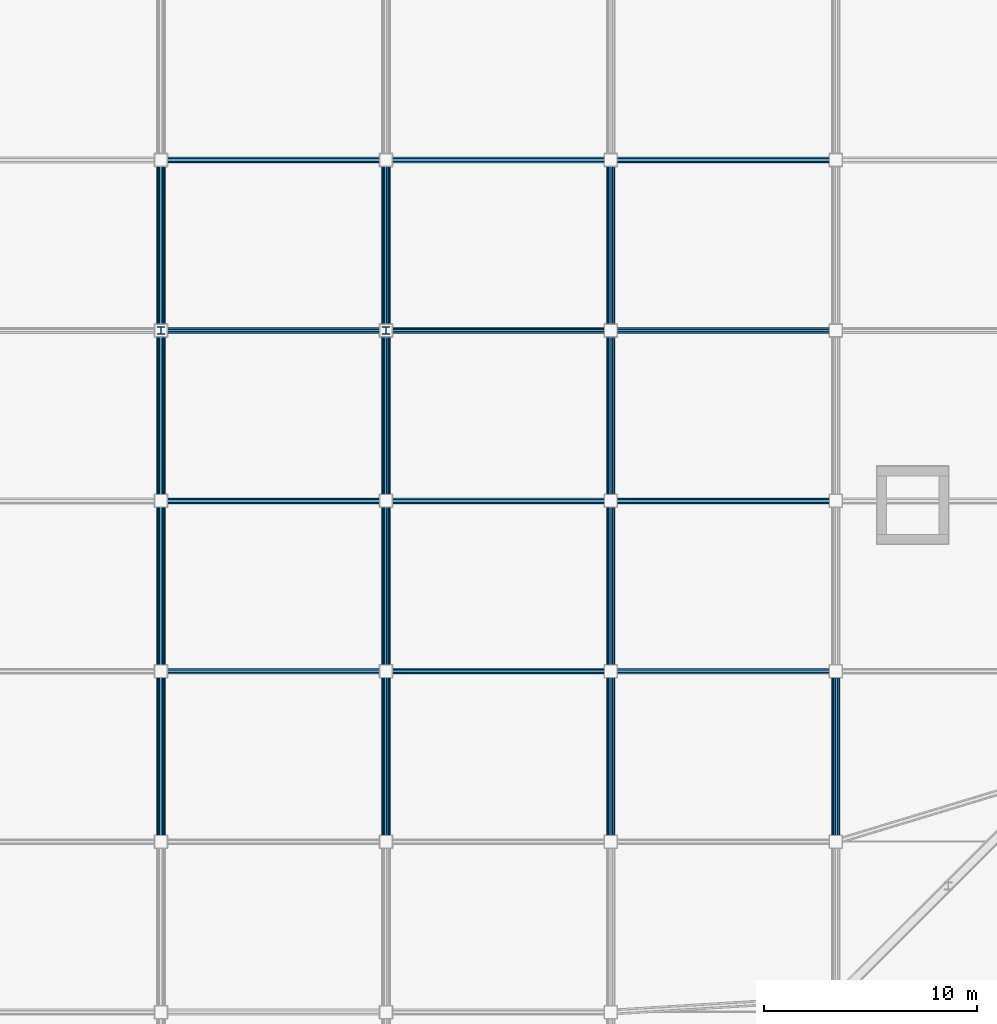
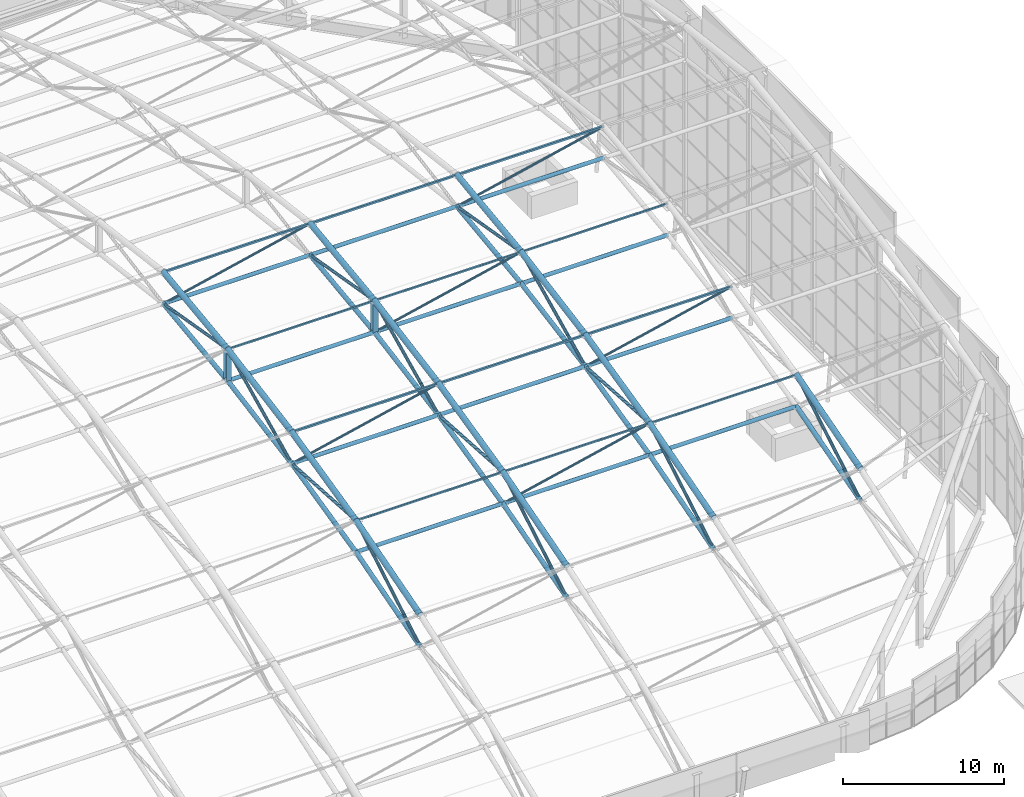
# One storey, part 12 of 42: 71 members.
"""IFC4 building model written with IfcOpenShell, lengths in metres."""

from ifc_helpers import new_model, si_unit, direction, frame, origin, origin_2d, place, context, subcontext, project, spatial, hollow_rectangle, hollow_circle, i_section, extrude, material, material_profile, profile_set, type_object, element, save


model = new_model("IFC4")

# Units and contexts
model_context = context("Model", 3, precision=1e-05, world=origin(), true_north=direction((0.0, 1.0)))
body_context = subcontext(model_context, "Body", "Model", "MODEL_VIEW")
ifc_project = project(units=[si_unit("LENGTHUNIT", "METRE"), si_unit("AREAUNIT", "SQUARE_METRE"), si_unit("VOLUMEUNIT", "CUBIC_METRE"), si_unit("PLANEANGLEUNIT", "RADIAN"), si_unit("MASSUNIT", "GRAM", prefix="KILO")], contexts=[model_context])

# Site, building, storey
site_placement = place(None, origin())
site = spatial("IfcSite", under=ifc_project, at=site_placement, CompositionType="ELEMENT")
building_placement = place(site_placement, origin())
building = spatial("IfcBuilding", under=site, at=building_placement, Name="Caelomonte Colonnade Arena", CompositionType="ELEMENT")
storey_placement = place(building_placement, frame((0.0, 0.0, 28.199951171875)))
storey = spatial("IfcBuildingStorey", under=building, at=storey_placement, Name="RF", CompositionType="ELEMENT", Elevation=28.199951171875)

# Members
ifc_material_1 = material(Name="Wide-flange steel ASTM A992 Grade 50", Category="steel")
ifc_material_profile_1 = material_profile(ifc_material_1, i_section(OverallWidth=0.368896484375, OverallDepth=0.356201171875, WebThickness=0.01123046875, FlangeThickness=0.01806640625, FilletRadius=0.01513671875, at=origin_2d()), Name="W14X90")
ifc_profile_set_1 = profile_set([ifc_material_profile_1], Name="Wide-flange steel ASTM A992 Grade 50")
member_type_1 = type_object("IfcMemberType", Name="STR-CAT-STR", PredefinedType="STRUT", material=ifc_profile_set_1)
for number, where, z_axis, x_axis, name in (
    (1, (120.9599609375, 59.199951171875, 11.68505859375), (0.0, 0.0, 1.0), (1.0, 0.0, 0.0), "Scoreboard rigging catwalk hanger post 6-5"),
    (2, (131.52001953125, 59.199951171875, 11.68505859375), (0.0, 0.0, 1.0), (1.0, 0.0, 0.0), "Scoreboard rigging catwalk hanger post 7-5"),
):
    element("IfcMember", number, at=place(storey_placement, frame(where, z_axis=z_axis, x_axis=x_axis)), inside=storey, type_object=member_type_1, Name=name, PredefinedType="STRUT", context=body_context, shape_type="SweptSolid", body=[
        extrude(i_section(OverallWidth=0.368896484375, OverallDepth=0.356201171875, WebThickness=0.01123046875, FlangeThickness=0.01806640625, FilletRadius=0.01513671875, at=origin_2d()), origin(), (0.0, 0.0, 1.0), 2.199951171875),
    ])
ifc_material_2 = material(Name="Steel ASTM A500 Grade C", Category="steel")
ifc_material_profile_2 = material_profile(ifc_material_2, hollow_circle(Radius=0.161865234375, WallThickness=0.010009765625, at=origin_2d()), Name="CHS323.9X10.0")
ifc_profile_set_2 = profile_set([ifc_material_profile_2], Name="Steel ASTM A500 Grade C")
member_type_2 = type_object("IfcMemberType", Name="STR-SF-BC2", PredefinedType="CHORD", material=ifc_profile_set_2)
member_1_placement = place(storey_placement, frame((120.9599609375, 35.201904296875, 5.936767578125), z_axis=(0.0, 0.960531688459, 0.278170586988), x_axis=(-1.0, 0.0, 0.0)))
element("IfcMember", 3, at=member_1_placement, inside=storey, type_object=member_type_2, Name="Arched roof truss bottom chord 6-2", PredefinedType="CHORD", context=body_context, shape_type="SweptSolid", body=[
    extrude(hollow_circle(Radius=0.161865234375, WallThickness=0.010009765625, at=origin_2d()), origin(), (0.0, 0.0, 1.0), 8.32470703125),
])
member_2_placement = place(storey_placement, frame((120.9599609375, 43.201904296875, 8.253662109375), z_axis=(0.0, 0.973406253466, 0.229085716955), x_axis=(-1.0, 0.0, 0.0)))
element("IfcMember", 4, at=member_2_placement, inside=storey, type_object=member_type_2, Name="Arched roof truss bottom chord 6-3", PredefinedType="CHORD", context=body_context, shape_type="SweptSolid", body=[
    extrude(hollow_circle(Radius=0.161865234375, WallThickness=0.010009765625, at=origin_2d()), origin(), (0.0, 0.0, 1.0), 8.214599609375),
])
member_3_placement = place(storey_placement, frame((120.9599609375, 51.201904296875, 10.136474609375), z_axis=(0.0, 0.983990820662, 0.178219148393), x_axis=(-1.0, 0.0, 0.0)))
element("IfcMember", 5, at=member_3_placement, inside=storey, type_object=member_type_2, Name="Arched roof truss bottom chord 6-4", PredefinedType="CHORD", context=body_context, shape_type="SweptSolid", body=[
    extrude(hollow_circle(Radius=0.161865234375, WallThickness=0.010009765625, at=origin_2d()), origin(), (0.0, 0.0, 1.0), 8.126220703125),
])
member_4_placement = place(storey_placement, frame((120.9599609375, 59.201904296875, 11.58544921875), z_axis=(0.0, 0.992048803131, 0.125853773113), x_axis=(-1.0, 0.0, 0.0)))
element("IfcMember", 6, at=member_4_placement, inside=storey, type_object=member_type_2, Name="Arched roof truss bottom chord 6-5", PredefinedType="CHORD", context=body_context, shape_type="SweptSolid", body=[
    extrude(hollow_circle(Radius=0.161865234375, WallThickness=0.010009765625, at=origin_2d()), origin(), (0.0, 0.0, 1.0), 8.060302734375),
])
member_5_placement = place(storey_placement, frame((131.52001953125, 35.201904296875, 5.936767578125), z_axis=(0.0, 0.960531688459, 0.278170586988), x_axis=(-1.0, 0.0, 0.0)))
element("IfcMember", 7, at=member_5_placement, inside=storey, type_object=member_type_2, Name="Arched roof truss bottom chord 7-2", PredefinedType="CHORD", context=body_context, shape_type="SweptSolid", body=[
    extrude(hollow_circle(Radius=0.161865234375, WallThickness=0.010009765625, at=origin_2d()), origin(), (0.0, 0.0, 1.0), 8.32470703125),
])
member_6_placement = place(storey_placement, frame((131.52001953125, 43.201904296875, 8.253662109375), z_axis=(0.0, 0.973406253466, 0.229085716955), x_axis=(-1.0, 0.0, 0.0)))
element("IfcMember", 8, at=member_6_placement, inside=storey, type_object=member_type_2, Name="Arched roof truss bottom chord 7-3", PredefinedType="CHORD", context=body_context, shape_type="SweptSolid", body=[
    extrude(hollow_circle(Radius=0.161865234375, WallThickness=0.010009765625, at=origin_2d()), origin(), (0.0, 0.0, 1.0), 8.214599609375),
])
member_7_placement = place(storey_placement, frame((131.52001953125, 51.201904296875, 10.136474609375), z_axis=(0.0, 0.983990820662, 0.178219148393), x_axis=(-1.0, 0.0, 0.0)))
element("IfcMember", 9, at=member_7_placement, inside=storey, type_object=member_type_2, Name="Arched roof truss bottom chord 7-4", PredefinedType="CHORD", context=body_context, shape_type="SweptSolid", body=[
    extrude(hollow_circle(Radius=0.161865234375, WallThickness=0.010009765625, at=origin_2d()), origin(), (0.0, 0.0, 1.0), 8.126220703125),
])
member_8_placement = place(storey_placement, frame((131.52001953125, 59.201904296875, 11.58544921875), z_axis=(0.0, 0.992048803131, 0.125853773113), x_axis=(-1.0, 0.0, 0.0)))
element("IfcMember", 10, at=member_8_placement, inside=storey, type_object=member_type_2, Name="Arched roof truss bottom chord 7-5", PredefinedType="CHORD", context=body_context, shape_type="SweptSolid", body=[
    extrude(hollow_circle(Radius=0.161865234375, WallThickness=0.010009765625, at=origin_2d()), origin(), (0.0, 0.0, 1.0), 8.060302734375),
])
member_9_placement = place(storey_placement, frame((142.080078125, 35.201904296875, 5.936767578125), z_axis=(0.0, 0.960531688459, 0.278170586988), x_axis=(-1.0, 0.0, 0.0)))
element("IfcMember", 11, at=member_9_placement, inside=storey, type_object=member_type_2, Name="Arched roof truss bottom chord 8-2", PredefinedType="CHORD", context=body_context, shape_type="SweptSolid", body=[
    extrude(hollow_circle(Radius=0.161865234375, WallThickness=0.010009765625, at=origin_2d()), origin(), (0.0, 0.0, 1.0), 8.32470703125),
])
member_10_placement = place(storey_placement, frame((142.080078125, 43.201904296875, 8.253662109375), z_axis=(0.0, 0.973406253466, 0.229085716955), x_axis=(-1.0, 0.0, 0.0)))
element("IfcMember", 12, at=member_10_placement, inside=storey, type_object=member_type_2, Name="Arched roof truss bottom chord 8-3", PredefinedType="CHORD", context=body_context, shape_type="SweptSolid", body=[
    extrude(hollow_circle(Radius=0.161865234375, WallThickness=0.010009765625, at=origin_2d()), origin(), (0.0, 0.0, 1.0), 8.214599609375),
])
member_11_placement = place(storey_placement, frame((142.080078125, 51.201904296875, 10.136474609375), z_axis=(0.0, 0.983990820662, 0.178219148393), x_axis=(-1.0, 0.0, 0.0)))
element("IfcMember", 13, at=member_11_placement, inside=storey, type_object=member_type_2, Name="Arched roof truss bottom chord 8-4", PredefinedType="CHORD", context=body_context, shape_type="SweptSolid", body=[
    extrude(hollow_circle(Radius=0.161865234375, WallThickness=0.010009765625, at=origin_2d()), origin(), (0.0, 0.0, 1.0), 8.126220703125),
])
member_12_placement = place(storey_placement, frame((142.080078125, 59.201904296875, 11.58544921875), z_axis=(0.0, 0.992048803131, 0.125853773113), x_axis=(-1.0, 0.0, 0.0)))
element("IfcMember", 14, at=member_12_placement, inside=storey, type_object=member_type_2, Name="Arched roof truss bottom chord 8-5", PredefinedType="CHORD", context=body_context, shape_type="SweptSolid", body=[
    extrude(hollow_circle(Radius=0.161865234375, WallThickness=0.010009765625, at=origin_2d()), origin(), (0.0, 0.0, 1.0), 8.060302734375),
])
member_13_placement = place(storey_placement, frame((152.639892578125, 35.201904296875, 5.936767578125), z_axis=(0.0, 0.960531688459, 0.278170586988), x_axis=(-1.0, 0.0, 0.0)))
element("IfcMember", 15, at=member_13_placement, inside=storey, type_object=member_type_2, Name="Arched roof truss bottom chord 9-2", PredefinedType="CHORD", context=body_context, shape_type="SweptSolid", body=[
    extrude(hollow_circle(Radius=0.161865234375, WallThickness=0.010009765625, at=origin_2d()), origin(), (0.0, 0.0, 1.0), 8.32470703125),
])
ifc_material_profile_3 = material_profile(ifc_material_2, hollow_rectangle(XDim=0.15234375, YDim=0.15234375, WallThickness=0.008056640625, InnerFilletRadius=0.008056640625, OuterFilletRadius=0.01611328125, at=origin_2d()), Name="HSS152X152X8.0")
ifc_profile_set_3 = profile_set([ifc_material_profile_3], Name="Steel ASTM A500 Grade C")
member_type_3 = type_object("IfcMemberType", Name="STR-SF-PUR2", PredefinedType="PURLIN", material=ifc_profile_set_3)
for number, where, z_axis, x_axis, name in (
    (16, (120.9619140625, 51.199951171875, 12.5361328125), (1.0, 0.0, 0.0), (0.0, 1.0, 0.0), "Arched roof purlin 6-4"),
    (17, (120.9619140625, 67.199951171875, 15.0), (1.0, 0.0, 0.0), (0.0, 1.0, 0.0), "Arched roof purlin 6-6"),
):
    element("IfcMember", number, at=place(storey_placement, frame(where, z_axis=z_axis, x_axis=x_axis)), inside=storey, type_object=member_type_3, Name=name, PredefinedType="PURLIN", context=body_context, shape_type="SweptSolid", body=[
        extrude(hollow_rectangle(XDim=0.15234375, YDim=0.15234375, WallThickness=0.008056640625, InnerFilletRadius=0.008056640625, OuterFilletRadius=0.01611328125, at=origin_2d()), origin(), (0.0, 0.0, 1.0), 10.55615234375),
    ])
for number, where, z_axis, x_axis, name in (
    (18, (131.52197265625, 51.199951171875, 12.5361328125), (1.0, 0.0, 0.0), (0.0, 1.0, 0.0), "Arched roof purlin 7-4"),
    (19, (131.52197265625, 67.199951171875, 15.0), (1.0, 0.0, 0.0), (0.0, 1.0, 0.0), "Arched roof purlin 7-6"),
    (20, (142.08203125, 51.199951171875, 12.5361328125), (1.0, 0.0, 0.0), (0.0, 1.0, 0.0), "Arched roof purlin 8-4"),
    (21, (142.08203125, 67.199951171875, 15.0), (1.0, 0.0, 0.0), (0.0, 1.0, 0.0), "Arched roof purlin 8-6"),
):
    element("IfcMember", number, at=place(storey_placement, frame(where, z_axis=z_axis, x_axis=x_axis)), inside=storey, type_object=member_type_3, Name=name, PredefinedType="PURLIN", context=body_context, shape_type="SweptSolid", body=[
        extrude(hollow_rectangle(XDim=0.15234375, YDim=0.15234375, WallThickness=0.008056640625, InnerFilletRadius=0.008056640625, OuterFilletRadius=0.01611328125, at=origin_2d()), origin(), (0.0, 0.0, 1.0), 10.555908203125),
    ])
ifc_material_profile_4 = material_profile(ifc_material_2, hollow_rectangle(XDim=0.126953125, YDim=0.126953125, WallThickness=0.00634765625, InnerFilletRadius=0.00634765625, OuterFilletRadius=0.0126953125, at=origin_2d()), Name="HSS127X127X6.4")
ifc_profile_set_4 = profile_set([ifc_material_profile_4], Name="Steel ASTM A500 Grade C")
member_type_4 = type_object("IfcMemberType", Name="STR-SF-PUR3", PredefinedType="PURLIN", material=ifc_profile_set_4)
for number, where, z_axis, x_axis, name in (
    (22, (120.9619140625, 43.199951171875, 10.653076171875), (1.0, 0.0, 0.0), (0.0, 1.0, 0.0), "Arched roof purlin 6-3"),
    (23, (120.9619140625, 59.199951171875, 13.985107421875), (1.0, 0.0, 0.0), (0.0, 1.0, 0.0), "Arched roof purlin 6-5"),
):
    element("IfcMember", number, at=place(storey_placement, frame(where, z_axis=z_axis, x_axis=x_axis)), inside=storey, type_object=member_type_4, Name=name, PredefinedType="PURLIN", context=body_context, shape_type="SweptSolid", body=[
        extrude(hollow_rectangle(XDim=0.126953125, YDim=0.126953125, WallThickness=0.00634765625, InnerFilletRadius=0.00634765625, OuterFilletRadius=0.0126953125, at=origin_2d()), origin(), (0.0, 0.0, 1.0), 10.55615234375),
    ])
for number, where, z_axis, x_axis, name in (
    (24, (131.52197265625, 43.199951171875, 10.653076171875), (1.0, 0.0, 0.0), (0.0, 1.0, 0.0), "Arched roof purlin 7-3"),
    (25, (131.52197265625, 59.199951171875, 13.985107421875), (1.0, 0.0, 0.0), (0.0, 1.0, 0.0), "Arched roof purlin 7-5"),
    (26, (142.08203125, 43.199951171875, 10.653076171875), (1.0, 0.0, 0.0), (0.0, 1.0, 0.0), "Arched roof purlin 8-3"),
    (27, (142.08203125, 59.199951171875, 13.985107421875), (1.0, 0.0, 0.0), (0.0, 1.0, 0.0), "Arched roof purlin 8-5"),
):
    element("IfcMember", number, at=place(storey_placement, frame(where, z_axis=z_axis, x_axis=x_axis)), inside=storey, type_object=member_type_4, Name=name, PredefinedType="PURLIN", context=body_context, shape_type="SweptSolid", body=[
        extrude(hollow_rectangle(XDim=0.126953125, YDim=0.126953125, WallThickness=0.00634765625, InnerFilletRadius=0.00634765625, OuterFilletRadius=0.0126953125, at=origin_2d()), origin(), (0.0, 0.0, 1.0), 10.555908203125),
    ])
ifc_material_profile_5 = material_profile(ifc_material_2, hollow_circle(Radius=0.203125, WallThickness=0.0126953125, at=origin_2d()), Name="CHS406.4X12.7")
ifc_profile_set_5 = profile_set([ifc_material_profile_5], Name="Steel ASTM A500 Grade C")
member_type_5 = type_object("IfcMemberType", Name="STR-SF-TC2", PredefinedType="CHORD", material=ifc_profile_set_5)
member_14_placement = place(storey_placement, frame((120.9599609375, 35.201904296875, 8.336669921875), z_axis=(0.0, 0.960531688459, 0.278170586988), x_axis=(-1.0, 0.0, 0.0)))
element("IfcMember", 28, at=member_14_placement, inside=storey, type_object=member_type_5, Name="Arched roof truss top chord 6-2", PredefinedType="CHORD", context=body_context, shape_type="SweptSolid", body=[
    extrude(hollow_circle(Radius=0.203125, WallThickness=0.0126953125, at=origin_2d()), origin(), (0.0, 0.0, 1.0), 8.32470703125),
])
member_15_placement = place(storey_placement, frame((120.9599609375, 43.201904296875, 10.653564453125), z_axis=(0.0, 0.973399625624, 0.229113877441), x_axis=(-1.0, 0.0, 0.0)))
element("IfcMember", 29, at=member_15_placement, inside=storey, type_object=member_type_5, Name="Arched roof truss top chord 6-3", PredefinedType="CHORD", context=body_context, shape_type="SweptSolid", body=[
    extrude(hollow_circle(Radius=0.203125, WallThickness=0.0126953125, at=origin_2d()), origin(), (0.0, 0.0, 1.0), 8.214599609375),
])
member_16_placement = place(storey_placement, frame((120.9599609375, 51.201904296875, 12.536376953125), z_axis=(0.0, 0.983990820662, 0.178219148393), x_axis=(-1.0, 0.0, 0.0)))
element("IfcMember", 30, at=member_16_placement, inside=storey, type_object=member_type_5, Name="Arched roof truss top chord 6-4", PredefinedType="CHORD", context=body_context, shape_type="SweptSolid", body=[
    extrude(hollow_circle(Radius=0.203125, WallThickness=0.0126953125, at=origin_2d()), origin(), (0.0, 0.0, 1.0), 8.126220703125),
])
member_17_placement = place(storey_placement, frame((120.9599609375, 59.201904296875, 13.9853515625), z_axis=(0.0, 0.992048803131, 0.125853773113), x_axis=(-1.0, 0.0, 0.0)))
element("IfcMember", 31, at=member_17_placement, inside=storey, type_object=member_type_5, Name="Arched roof truss top chord 6-5", PredefinedType="CHORD", context=body_context, shape_type="SweptSolid", body=[
    extrude(hollow_circle(Radius=0.203125, WallThickness=0.0126953125, at=origin_2d()), origin(), (0.0, 0.0, 1.0), 8.060302734375),
])
member_18_placement = place(storey_placement, frame((131.52001953125, 35.201904296875, 8.336669921875), z_axis=(0.0, 0.960531688459, 0.278170586988), x_axis=(-1.0, 0.0, 0.0)))
element("IfcMember", 32, at=member_18_placement, inside=storey, type_object=member_type_5, Name="Arched roof truss top chord 7-2", PredefinedType="CHORD", context=body_context, shape_type="SweptSolid", body=[
    extrude(hollow_circle(Radius=0.203125, WallThickness=0.0126953125, at=origin_2d()), origin(), (0.0, 0.0, 1.0), 8.32470703125),
])
member_19_placement = place(storey_placement, frame((131.52001953125, 43.201904296875, 10.653564453125), z_axis=(0.0, 0.973399625624, 0.229113877441), x_axis=(-1.0, 0.0, 0.0)))
element("IfcMember", 33, at=member_19_placement, inside=storey, type_object=member_type_5, Name="Arched roof truss top chord 7-3", PredefinedType="CHORD", context=body_context, shape_type="SweptSolid", body=[
    extrude(hollow_circle(Radius=0.203125, WallThickness=0.0126953125, at=origin_2d()), origin(), (0.0, 0.0, 1.0), 8.214599609375),
])
member_20_placement = place(storey_placement, frame((131.52001953125, 51.201904296875, 12.536376953125), z_axis=(0.0, 0.983990820662, 0.178219148393), x_axis=(-1.0, 0.0, 0.0)))
element("IfcMember", 34, at=member_20_placement, inside=storey, type_object=member_type_5, Name="Arched roof truss top chord 7-4", PredefinedType="CHORD", context=body_context, shape_type="SweptSolid", body=[
    extrude(hollow_circle(Radius=0.203125, WallThickness=0.0126953125, at=origin_2d()), origin(), (0.0, 0.0, 1.0), 8.126220703125),
])
member_21_placement = place(storey_placement, frame((131.52001953125, 59.201904296875, 13.9853515625), z_axis=(0.0, 0.992048803131, 0.125853773113), x_axis=(-1.0, 0.0, 0.0)))
element("IfcMember", 35, at=member_21_placement, inside=storey, type_object=member_type_5, Name="Arched roof truss top chord 7-5", PredefinedType="CHORD", context=body_context, shape_type="SweptSolid", body=[
    extrude(hollow_circle(Radius=0.203125, WallThickness=0.0126953125, at=origin_2d()), origin(), (0.0, 0.0, 1.0), 8.060302734375),
])
member_22_placement = place(storey_placement, frame((142.080078125, 35.201904296875, 8.336669921875), z_axis=(0.0, 0.960531688459, 0.278170586988), x_axis=(-1.0, 0.0, 0.0)))
element("IfcMember", 36, at=member_22_placement, inside=storey, type_object=member_type_5, Name="Arched roof truss top chord 8-2", PredefinedType="CHORD", context=body_context, shape_type="SweptSolid", body=[
    extrude(hollow_circle(Radius=0.203125, WallThickness=0.0126953125, at=origin_2d()), origin(), (0.0, 0.0, 1.0), 8.32470703125),
])
member_23_placement = place(storey_placement, frame((142.080078125, 43.201904296875, 10.653564453125), z_axis=(0.0, 0.973399625624, 0.229113877441), x_axis=(-1.0, 0.0, 0.0)))
element("IfcMember", 37, at=member_23_placement, inside=storey, type_object=member_type_5, Name="Arched roof truss top chord 8-3", PredefinedType="CHORD", context=body_context, shape_type="SweptSolid", body=[
    extrude(hollow_circle(Radius=0.203125, WallThickness=0.0126953125, at=origin_2d()), origin(), (0.0, 0.0, 1.0), 8.214599609375),
])
member_24_placement = place(storey_placement, frame((142.080078125, 51.201904296875, 12.536376953125), z_axis=(0.0, 0.983990820662, 0.178219148393), x_axis=(-1.0, 0.0, 0.0)))
element("IfcMember", 38, at=member_24_placement, inside=storey, type_object=member_type_5, Name="Arched roof truss top chord 8-4", PredefinedType="CHORD", context=body_context, shape_type="SweptSolid", body=[
    extrude(hollow_circle(Radius=0.203125, WallThickness=0.0126953125, at=origin_2d()), origin(), (0.0, 0.0, 1.0), 8.126220703125),
])
member_25_placement = place(storey_placement, frame((142.080078125, 59.201904296875, 13.9853515625), z_axis=(0.0, 0.992048803131, 0.125853773113), x_axis=(-1.0, 0.0, 0.0)))
element("IfcMember", 39, at=member_25_placement, inside=storey, type_object=member_type_5, Name="Arched roof truss top chord 8-5", PredefinedType="CHORD", context=body_context, shape_type="SweptSolid", body=[
    extrude(hollow_circle(Radius=0.203125, WallThickness=0.0126953125, at=origin_2d()), origin(), (0.0, 0.0, 1.0), 8.060302734375),
])
member_26_placement = place(storey_placement, frame((152.639892578125, 35.201904296875, 8.336669921875), z_axis=(0.0, 0.960531688459, 0.278170586988), x_axis=(-1.0, 0.0, 0.0)))
element("IfcMember", 40, at=member_26_placement, inside=storey, type_object=member_type_5, Name="Arched roof truss top chord 9-2", PredefinedType="CHORD", context=body_context, shape_type="SweptSolid", body=[
    extrude(hollow_circle(Radius=0.203125, WallThickness=0.0126953125, at=origin_2d()), origin(), (0.0, 0.0, 1.0), 8.32470703125),
])
ifc_material_profile_6 = material_profile(ifc_material_2, hollow_circle(Radius=0.136474609375, WallThickness=0.00927734375, at=origin_2d()), Name="CHS273.0X9.3")
ifc_profile_set_6 = profile_set([ifc_material_profile_6], Name="Steel ASTM A500 Grade C")
member_type_6 = type_object("IfcMemberType", Name="STR-SF-TIE", PredefinedType="STRUT", material=ifc_profile_set_6)
for number, where, z_axis, x_axis, name in (
    (41, (120.9619140625, 43.199951171875, 8.2529296875), (1.0, 0.0, 0.0), (0.0, 1.0, 0.0), "Space frame roof tie strut 6-3"),
    (42, (120.9619140625, 51.199951171875, 10.135986328125), (1.0, 0.0, 0.0), (0.0, 1.0, 0.0), "Space frame roof tie strut 6-4"),
    (43, (120.9619140625, 59.199951171875, 11.5849609375), (1.0, 0.0, 0.0), (0.0, 1.0, 0.0), "Space frame roof tie strut 6-5"),
    (44, (120.9619140625, 67.199951171875, 12.60009765625), (1.0, 0.0, 0.0), (0.0, 1.0, 0.0), "Space frame roof tie strut 6-6"),
):
    element("IfcMember", number, at=place(storey_placement, frame(where, z_axis=z_axis, x_axis=x_axis)), inside=storey, type_object=member_type_6, Name=name, PredefinedType="STRUT", context=body_context, shape_type="SweptSolid", body=[
        extrude(hollow_circle(Radius=0.136474609375, WallThickness=0.00927734375, at=origin_2d()), origin(), (0.0, 0.0, 1.0), 10.55615234375),
    ])
for number, where, z_axis, x_axis, name in (
    (45, (131.52197265625, 43.199951171875, 8.2529296875), (1.0, 0.0, 0.0), (0.0, 1.0, 0.0), "Space frame roof tie strut 7-3"),
    (46, (131.52197265625, 51.199951171875, 10.135986328125), (1.0, 0.0, 0.0), (0.0, 1.0, 0.0), "Space frame roof tie strut 7-4"),
    (47, (131.52197265625, 59.199951171875, 11.5849609375), (1.0, 0.0, 0.0), (0.0, 1.0, 0.0), "Space frame roof tie strut 7-5"),
    (48, (131.52197265625, 67.199951171875, 12.60009765625), (1.0, 0.0, 0.0), (0.0, 1.0, 0.0), "Space frame roof tie strut 7-6"),
    (49, (142.08203125, 43.199951171875, 8.2529296875), (1.0, 0.0, 0.0), (0.0, 1.0, 0.0), "Space frame roof tie strut 8-3"),
    (50, (142.08203125, 51.199951171875, 10.135986328125), (1.0, 0.0, 0.0), (0.0, 1.0, 0.0), "Space frame roof tie strut 8-4"),
    (51, (142.08203125, 59.199951171875, 11.5849609375), (1.0, 0.0, 0.0), (0.0, 1.0, 0.0), "Space frame roof tie strut 8-5"),
    (52, (142.08203125, 67.199951171875, 12.60009765625), (1.0, 0.0, 0.0), (0.0, 1.0, 0.0), "Space frame roof tie strut 8-6"),
):
    element("IfcMember", number, at=place(storey_placement, frame(where, z_axis=z_axis, x_axis=x_axis)), inside=storey, type_object=member_type_6, Name=name, PredefinedType="STRUT", context=body_context, shape_type="SweptSolid", body=[
        extrude(hollow_circle(Radius=0.136474609375, WallThickness=0.00927734375, at=origin_2d()), origin(), (0.0, 0.0, 1.0), 10.555908203125),
    ])
ifc_material_profile_7 = material_profile(ifc_material_2, hollow_circle(Radius=0.109619140625, WallThickness=0.00830078125, at=origin_2d()), Name="CHS219.1X8.2")
ifc_profile_set_7 = profile_set([ifc_material_profile_7], Name="Steel ASTM A500 Grade C")
member_type_7 = type_object("IfcMemberType", Name="STR-SF-WEB1", PredefinedType="BRACE", material=ifc_profile_set_7)
member_27_placement = place(storey_placement, frame((120.9599609375, 35.20166015625, 5.93701171875), z_axis=(0.0, 0.861405734482, 0.507917474203), x_axis=(-1.0, 0.0, 0.0)))
element("IfcMember", 53, at=member_27_placement, inside=storey, type_object=member_type_7, Name="Space frame roof truss web diagonal 6-2", PredefinedType="BRACE", context=body_context, shape_type="SweptSolid", body=[
    extrude(hollow_circle(Radius=0.109619140625, WallThickness=0.00830078125, at=origin_2d()), origin(), (0.0, 0.0, 1.0), 9.283203125),
])
member_28_placement = place(storey_placement, frame((120.9599609375, 43.201904296875, 10.65283203125), z_axis=(0.0, 0.997919495279, -0.064472326942), x_axis=(-1.0, 0.0, 0.0)))
element("IfcMember", 54, at=member_28_placement, inside=storey, type_object=member_type_7, Name="Space frame roof truss web diagonal 6-3", PredefinedType="BRACE", context=body_context, shape_type="SweptSolid", body=[
    extrude(hollow_circle(Radius=0.109619140625, WallThickness=0.00830078125, at=origin_2d()), origin(), (0.0, 0.0, 1.0), 8.0126953125),
])
member_29_placement = place(storey_placement, frame((120.9599609375, 51.201904296875, 10.136962890625), z_axis=(0.0, 0.901130279028, 0.433548405854), x_axis=(-1.0, 0.0, 0.0)))
element("IfcMember", 55, at=member_29_placement, inside=storey, type_object=member_type_7, Name="Space frame roof truss web diagonal 6-4", PredefinedType="BRACE", context=body_context, shape_type="SweptSolid", body=[
    extrude(hollow_circle(Radius=0.109619140625, WallThickness=0.00830078125, at=origin_2d()), origin(), (0.0, 0.0, 1.0), 8.873779296875),
])
member_30_placement = place(storey_placement, frame((120.9599609375, 59.201904296875, 13.98486328125), z_axis=(0.0, 0.985338447855, -0.1706110875), x_axis=(-1.0, 0.0, 0.0)))
element("IfcMember", 56, at=member_30_placement, inside=storey, type_object=member_type_7, Name="Space frame roof truss web diagonal 6-5", PredefinedType="BRACE", context=body_context, shape_type="SweptSolid", body=[
    extrude(hollow_circle(Radius=0.109619140625, WallThickness=0.00830078125, at=origin_2d()), origin(), (0.0, 0.0, 1.0), 8.114990234375),
])
member_31_placement = place(storey_placement, frame((131.52001953125, 35.20166015625, 5.93701171875), z_axis=(0.0, 0.861405734482, 0.507917474203), x_axis=(-1.0, 0.0, 0.0)))
element("IfcMember", 57, at=member_31_placement, inside=storey, type_object=member_type_7, Name="Space frame roof truss web diagonal 7-2", PredefinedType="BRACE", context=body_context, shape_type="SweptSolid", body=[
    extrude(hollow_circle(Radius=0.109619140625, WallThickness=0.00830078125, at=origin_2d()), origin(), (0.0, 0.0, 1.0), 9.283203125),
])
member_32_placement = place(storey_placement, frame((131.52001953125, 43.201904296875, 10.65283203125), z_axis=(0.0, 0.997919495279, -0.064472326942), x_axis=(-1.0, 0.0, 0.0)))
element("IfcMember", 58, at=member_32_placement, inside=storey, type_object=member_type_7, Name="Space frame roof truss web diagonal 7-3", PredefinedType="BRACE", context=body_context, shape_type="SweptSolid", body=[
    extrude(hollow_circle(Radius=0.109619140625, WallThickness=0.00830078125, at=origin_2d()), origin(), (0.0, 0.0, 1.0), 8.0126953125),
])
member_33_placement = place(storey_placement, frame((131.52001953125, 51.201904296875, 10.136962890625), z_axis=(0.0, 0.901130279028, 0.433548405854), x_axis=(-1.0, 0.0, 0.0)))
element("IfcMember", 59, at=member_33_placement, inside=storey, type_object=member_type_7, Name="Space frame roof truss web diagonal 7-4", PredefinedType="BRACE", context=body_context, shape_type="SweptSolid", body=[
    extrude(hollow_circle(Radius=0.109619140625, WallThickness=0.00830078125, at=origin_2d()), origin(), (0.0, 0.0, 1.0), 8.873779296875),
])
member_34_placement = place(storey_placement, frame((131.52001953125, 59.201904296875, 13.98486328125), z_axis=(0.0, 0.985338447855, -0.1706110875), x_axis=(-1.0, 0.0, 0.0)))
element("IfcMember", 60, at=member_34_placement, inside=storey, type_object=member_type_7, Name="Space frame roof truss web diagonal 7-5", PredefinedType="BRACE", context=body_context, shape_type="SweptSolid", body=[
    extrude(hollow_circle(Radius=0.109619140625, WallThickness=0.00830078125, at=origin_2d()), origin(), (0.0, 0.0, 1.0), 8.114990234375),
])
member_35_placement = place(storey_placement, frame((142.080078125, 35.20166015625, 5.93701171875), z_axis=(0.0, 0.861405734482, 0.507917474203), x_axis=(-1.0, 0.0, 0.0)))
element("IfcMember", 61, at=member_35_placement, inside=storey, type_object=member_type_7, Name="Space frame roof truss web diagonal 8-2", PredefinedType="BRACE", context=body_context, shape_type="SweptSolid", body=[
    extrude(hollow_circle(Radius=0.109619140625, WallThickness=0.00830078125, at=origin_2d()), origin(), (0.0, 0.0, 1.0), 9.283203125),
])
member_36_placement = place(storey_placement, frame((142.080078125, 43.201904296875, 10.65283203125), z_axis=(0.0, 0.997919495279, -0.064472326942), x_axis=(-1.0, 0.0, 0.0)))
element("IfcMember", 62, at=member_36_placement, inside=storey, type_object=member_type_7, Name="Space frame roof truss web diagonal 8-3", PredefinedType="BRACE", context=body_context, shape_type="SweptSolid", body=[
    extrude(hollow_circle(Radius=0.109619140625, WallThickness=0.00830078125, at=origin_2d()), origin(), (0.0, 0.0, 1.0), 8.0126953125),
])
member_37_placement = place(storey_placement, frame((142.080078125, 51.201904296875, 10.136962890625), z_axis=(0.0, 0.901130279028, 0.433548405854), x_axis=(-1.0, 0.0, 0.0)))
element("IfcMember", 63, at=member_37_placement, inside=storey, type_object=member_type_7, Name="Space frame roof truss web diagonal 8-4", PredefinedType="BRACE", context=body_context, shape_type="SweptSolid", body=[
    extrude(hollow_circle(Radius=0.109619140625, WallThickness=0.00830078125, at=origin_2d()), origin(), (0.0, 0.0, 1.0), 8.873779296875),
])
member_38_placement = place(storey_placement, frame((142.080078125, 59.201904296875, 13.98486328125), z_axis=(0.0, 0.985338447855, -0.1706110875), x_axis=(-1.0, 0.0, 0.0)))
element("IfcMember", 64, at=member_38_placement, inside=storey, type_object=member_type_7, Name="Space frame roof truss web diagonal 8-5", PredefinedType="BRACE", context=body_context, shape_type="SweptSolid", body=[
    extrude(hollow_circle(Radius=0.109619140625, WallThickness=0.00830078125, at=origin_2d()), origin(), (0.0, 0.0, 1.0), 8.114990234375),
])
member_39_placement = place(storey_placement, frame((152.639892578125, 35.20166015625, 5.93701171875), z_axis=(0.0, 0.861405734482, 0.507917474203), x_axis=(-1.0, 0.0, 0.0)))
element("IfcMember", 65, at=member_39_placement, inside=storey, type_object=member_type_7, Name="Space frame roof truss web diagonal 9-2", PredefinedType="BRACE", context=body_context, shape_type="SweptSolid", body=[
    extrude(hollow_circle(Radius=0.109619140625, WallThickness=0.00830078125, at=origin_2d()), origin(), (0.0, 0.0, 1.0), 9.283203125),
])
ifc_material_profile_8 = material_profile(ifc_material_2, hollow_circle(Radius=0.084228515625, WallThickness=0.007080078125, at=origin_2d()), Name="CHS168.3X7.1")
ifc_profile_set_8 = profile_set([ifc_material_profile_8], Name="Steel ASTM A500 Grade C")
member_type_8 = type_object("IfcMemberType", Name="STR-SF-WEB2", PredefinedType="BRACE", material=ifc_profile_set_8)
for number, where, z_axis, x_axis, name in (
    (66, (120.9619140625, 51.199951171875, 10.136474609375), (0.975131969628, 0.0, 0.221625002672), (0.0, 1.0, 0.0), "Space frame transverse diagonal 6-4"),
    (67, (120.9619140625, 67.199951171875, 12.600341796875), (0.975127095479, 0.0, 0.221646447439), (0.0, 1.0, 0.0), "Space frame transverse diagonal 6-6"),
):
    element("IfcMember", number, at=place(storey_placement, frame(where, z_axis=z_axis, x_axis=x_axis)), inside=storey, type_object=member_type_8, Name=name, PredefinedType="BRACE", context=body_context, shape_type="SweptSolid", body=[
        extrude(hollow_circle(Radius=0.084228515625, WallThickness=0.007080078125, at=origin_2d()), origin(), (0.0, 0.0, 1.0), 10.825439453125),
    ])
for number, where, z_axis, x_axis, name in (
    (68, (131.52197265625, 43.199951171875, 8.25341796875), (0.975130861858, 0.0, 0.221629876714), (0.0, 1.0, 0.0), "Space frame transverse diagonal 7-3"),
    (69, (131.52197265625, 59.199951171875, 11.58544921875), (0.975130861858, 0.0, 0.221629876714), (0.0, 1.0, 0.0), "Space frame transverse diagonal 7-5"),
    (70, (142.08203125, 51.199951171875, 10.136474609375), (0.975130861858, 0.0, 0.221629876714), (0.0, 1.0, 0.0), "Space frame transverse diagonal 8-4"),
    (71, (142.08203125, 67.199951171875, 12.600341796875), (0.9751259875, 0.0, 0.221651321904), (0.0, 1.0, 0.0), "Space frame transverse diagonal 8-6"),
):
    element("IfcMember", number, at=place(storey_placement, frame(where, z_axis=z_axis, x_axis=x_axis)), inside=storey, type_object=member_type_8, Name=name, PredefinedType="BRACE", context=body_context, shape_type="SweptSolid", body=[
        extrude(hollow_circle(Radius=0.084228515625, WallThickness=0.007080078125, at=origin_2d()), origin(), (0.0, 0.0, 1.0), 10.8251953125),
    ])

save(model, "model.ifc")
